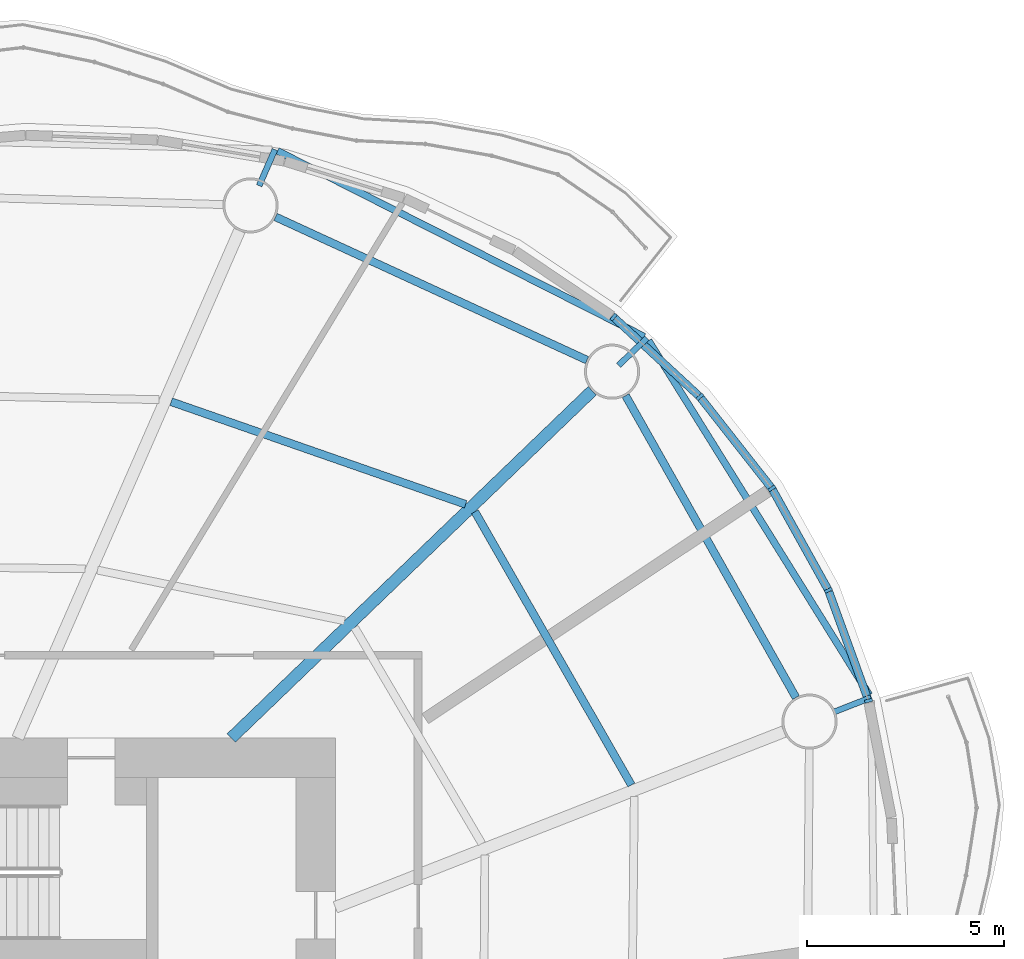
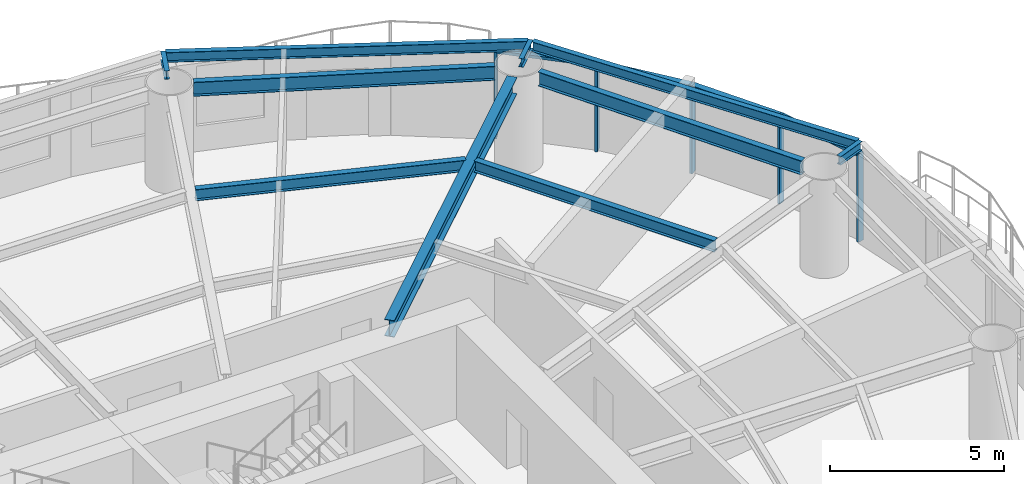
# One storey, part 6 of 15: 10 beams, 9 members, 4 elements without a shape of their own.
"""IFC4 building model written with IfcOpenShell, lengths in metres."""

from ifc_helpers import new_model, si_unit, direction, frame, origin, origin_2d, place, context, subcontext, project, spatial, rectangle, i_section, extrude, material, material_profile, profile_set, type_object, element, aggregate, save


model = new_model("IFC4")

# Units and contexts
model_context = context("Model", 3, precision=1e-05, world=origin(), true_north=direction((0.0, 1.0)))
body_context = subcontext(model_context, "Body", "Model", "MODEL_VIEW")
ifc_project = project(units=[si_unit("LENGTHUNIT", "METRE"), si_unit("AREAUNIT", "SQUARE_METRE"), si_unit("VOLUMEUNIT", "CUBIC_METRE"), si_unit("PLANEANGLEUNIT", "RADIAN"), si_unit("MASSUNIT", "GRAM", prefix="KILO")], contexts=[model_context])

# Site, building, storey
site_placement = place(None, origin())
site = spatial("IfcSite", under=ifc_project, at=site_placement, CompositionType="ELEMENT")
building_placement = place(site_placement, origin())
building = spatial("IfcBuilding", under=site, at=building_placement, Name="Vermilion Reach Broadcast Tower", CompositionType="ELEMENT")
storey_placement = place(building_placement, frame((0.0, 0.0, 168.60009765625)))
storey = spatial("IfcBuildingStorey", under=building, at=storey_placement, Name="L40", CompositionType="ELEMENT", Elevation=168.60009765625)

# Beams
ifc_material_1 = material(Name="Steel S355J2", Category="steel")
ifc_material_profile_1 = material_profile(ifc_material_1, i_section(OverallWidth=0.175048828125, OverallDepth=0.35009765625, WebThickness=0.007080078125, FlangeThickness=0.010986328125, at=origin_2d()), Name="S355J2 HN 350x175x7x11")
ifc_profile_set_1 = profile_set([ifc_material_profile_1], Name="Steel S355J2")
beam_type_1 = type_object("IfcBeamType", Name="EB3 HN 350x175x7x11", PredefinedType="BEAM", material=ifc_profile_set_1)
beam_1_placement = place(storey_placement, frame((13.842041015625, 19.19189453125, 3.27490234375), z_axis=(-0.892066205673, 0.451904729669, 0.0), x_axis=(-0.451904729669, -0.892066205673, 0.0)))
element("IfcBeam", 1, at=beam_1_placement, inside=storey, type_object=beam_type_1, Name="Edge beam EB3-01", PredefinedType="BEAM", context=body_context, shape_type="SweptSolid", body=[
    extrude(i_section(OverallWidth=0.175048828125, OverallDepth=0.35009765625, WebThickness=0.007080078125, FlangeThickness=0.010986328125, at=origin_2d()), origin(), (0.0, 0.0, 1.0), 10.4365234375),
])
beam_2_placement = place(storey_placement, frame((19.55908203125, 10.091796875, 3.27490234375), z_axis=(-0.528731584226, 0.848789085605, 0.0), x_axis=(-0.848789085605, -0.528731584226, 0.0)))
element("IfcBeam", 2, at=beam_2_placement, inside=storey, type_object=beam_type_1, Name="Edge beam EB3-16", PredefinedType="BEAM", context=body_context, shape_type="SweptSolid", body=[
    extrude(i_section(OverallWidth=0.175048828125, OverallDepth=0.35009765625, WebThickness=0.007080078125, FlangeThickness=0.010986328125, at=origin_2d()), origin(), (0.0, 0.0, 1.0), 10.602294921875),
])
ifc_material_2 = material(Name="Steel S355J2", Category="steel")
ifc_material_profile_2 = material_profile(ifc_material_2, i_section(OverallWidth=0.300048828125, OverallDepth=0.587890625, WebThickness=0.011962890625, FlangeThickness=0.02001953125, at=origin_2d()), Name="S355J2 HM 588x300x12x20")
ifc_profile_set_2 = profile_set([ifc_material_profile_2], Name="Steel S355J2")
beam_type_2 = type_object("IfcBeamType", Name="G3 HM 588x300x12x20", PredefinedType="BEAM", material=ifc_profile_set_2)
beam_3_placement = place(storey_placement, frame((3.355712890625, 9.0, 3.156005859375), z_axis=(0.720670374476, 0.693277874559, 0.0), x_axis=(-0.693277874559, 0.720670374476, 0.0)))
element("IfcBeam", 3, at=beam_3_placement, inside=storey, type_object=beam_type_2, Name="Girder G3-01", PredefinedType="BEAM", context=body_context, shape_type="SweptSolid", body=[
    extrude(i_section(OverallWidth=0.300048828125, OverallDepth=0.587890625, WebThickness=0.011962890625, FlangeThickness=0.02001953125, at=origin_2d()), origin(), (0.0, 0.0, 1.0), 12.718505859375),
])
ifc_material_3 = material(Name="Steel S355J2", Category="steel")
ifc_material_profile_3 = material_profile(ifc_material_3, i_section(OverallWidth=0.14990234375, OverallDepth=0.300048828125, WebThickness=0.006591796875, FlangeThickness=0.009033203125, at=origin_2d()), Name="S355J2 HN 300x150x6.5x9")
ifc_profile_set_3 = profile_set([ifc_material_profile_3], Name="Steel S355J2")
beam_type_3 = type_object("IfcBeamType", Name="GS3 HN 300x150x6.5x9", PredefinedType="BEAM", material=ifc_profile_set_3)
for number, where, z_axis, x_axis, name in (
    (4, (13.192138671875, 18.462646484375, 3.2998046875), (0.720767376164, 0.69317702606, 0.0), (-0.69317702606, 0.720767376164, 0.0), "Cantilever stub GS3-01"),
    (5, (4.064453125, 23.02587890625, 3.2998046875), (0.400626718411, 0.916241361485, 0.0), (-0.916241361485, 0.400626718411, 0.0), "Cantilever stub GS3-02"),
    (6, (18.668212890625, 9.662353515625, 3.2998046875), (0.931113051526, 0.364730702407, 0.0), (-0.364730702407, 0.931113051526, 0.0), "Cantilever stub GS3-16"),
):
    element("IfcBeam", number, at=place(storey_placement, frame(where, z_axis=z_axis, x_axis=x_axis)), inside=storey, type_object=beam_type_3, Name=name, PredefinedType="BEAM", context=body_context, shape_type="SweptSolid", body=[
        extrude(i_section(OverallWidth=0.14990234375, OverallDepth=0.300048828125, WebThickness=0.006591796875, FlangeThickness=0.009033203125, at=origin_2d()), origin(), (0.0, 0.0, 1.0), 1.0),
    ])
ifc_material_4 = material(Name="Steel S355J2", Category="steel")
ifc_material_profile_4 = material_profile(ifc_material_4, i_section(OverallWidth=0.199951171875, OverallDepth=0.5, WebThickness=0.010009765625, FlangeThickness=0.01611328125, at=origin_2d()), Name="S355J2 HN 500x200x10x16")
ifc_profile_set_4 = profile_set([ifc_material_profile_4], Name="Steel S355J2")
beam_type_4 = type_object("IfcBeamType", Name="RB3 HN 500x200x10x16", PredefinedType="BEAM", material=ifc_profile_set_4)
beam_4_placement = place(storey_placement, frame((12.389892578125, 18.594970703125, 3.199951171875), z_axis=(-0.908546241769, 0.417784306272, 0.0), x_axis=(-0.417784306272, -0.908546241769, 0.0)))
element("IfcBeam", 7, at=beam_4_placement, inside=storey, type_object=beam_type_4, Name="Ring beam RB3-01", PredefinedType="BEAM", context=body_context, shape_type="SweptSolid", body=[
    extrude(i_section(OverallWidth=0.199951171875, OverallDepth=0.5, WebThickness=0.010009765625, FlangeThickness=0.01611328125, at=origin_2d()), origin(), (0.0, 0.0, 1.0), 8.704833984375),
])
beam_5_placement = place(storey_placement, frame((17.696533203125, 10.026123046875, 3.199951171875), z_axis=(-0.491466825026, 0.870896296869, 0.0), x_axis=(-0.870896296869, -0.491466825026, 0.0)))
element("IfcBeam", 8, at=beam_5_placement, inside=storey, type_object=beam_type_4, Name="Ring beam RB3-16", PredefinedType="BEAM", context=body_context, shape_type="SweptSolid", body=[
    extrude(i_section(OverallWidth=0.199951171875, OverallDepth=0.5, WebThickness=0.010009765625, FlangeThickness=0.01611328125, at=origin_2d()), origin(), (0.0, 0.0, 1.0), 8.803466796875),
])
ifc_material_5 = material(Name="Steel S355J2", Category="steel")
ifc_material_profile_5 = material_profile(ifc_material_5, i_section(OverallWidth=0.199951171875, OverallDepth=0.39990234375, WebThickness=0.008056640625, FlangeThickness=0.012939453125, at=origin_2d()), Name="S355J2 HN 400x200x8x13")
ifc_profile_set_5 = profile_set([ifc_material_profile_5], Name="Steel S355J2")
beam_type_5 = type_object("IfcBeamType", Name="SB3 HN 400x200x8x13", PredefinedType="BEAM", material=ifc_profile_set_5)
beam_6_placement = place(storey_placement, frame((9.307373046875, 14.93359375, 3.25), z_axis=(-0.94431696779, 0.329037177754, 0.0), x_axis=(-0.329037177754, -0.94431696779, 0.0)))
element("IfcBeam", 9, at=beam_6_placement, inside=storey, type_object=beam_type_5, Name="Secondary beam SB3-01-2", PredefinedType="BEAM", context=body_context, shape_type="SweptSolid", body=[
    extrude(i_section(OverallWidth=0.199951171875, OverallDepth=0.39990234375, WebThickness=0.008056640625, FlangeThickness=0.012939453125, at=origin_2d()), origin(), (0.0, 0.0, 1.0), 7.91845703125),
])
beam_7_placement = place(storey_placement, frame((13.51708984375, 7.805908203125, 3.25), z_axis=(-0.497026503115, 0.867735360119, 0.0), x_axis=(-0.867735360119, -0.497026503115, 0.0)))
element("IfcBeam", 10, at=beam_7_placement, inside=storey, type_object=beam_type_5, Name="Secondary beam SB3-16-2", PredefinedType="BEAM", context=body_context, shape_type="SweptSolid", body=[
    extrude(i_section(OverallWidth=0.199951171875, OverallDepth=0.39990234375, WebThickness=0.008056640625, FlangeThickness=0.012939453125, at=origin_2d()), origin(), (0.0, 0.0, 1.0), 7.995849609375),
])

# Curtain wall, member
ifc_material_6 = material(Name="Low-e laminated clear glass in aluminium frame", Category="aluminium")
curtain_wall_type = type_object("IfcCurtainWallType", Name="Slot curtain wall", PredefinedType="NOTDEFINED", material=ifc_material_6)
placement = place(storey_placement, origin())
curtain_wall_1 = element("IfcCurtainWall", 11, at=placement, inside=storey, type_object=curtain_wall_type, Name="Slot curtain wall L40 46", PredefinedType="NOTDEFINED")
ifc_material_7 = material(Name="Anodised aluminium", Category="aluminium")
ifc_material_profile_6 = material_profile(ifc_material_7, rectangle(XDim=0.199951171875, YDim=0.080078125, at=origin_2d()), Name="Slot mullion 80 x 200")
ifc_profile_set_6 = profile_set([ifc_material_profile_6], Name="Anodised aluminium")
member_type_1 = type_object("IfcMemberType", Name="Slot mullion 80 x 200", PredefinedType="MULLION", material=ifc_profile_set_6)
member_1_placement = place(storey_placement, frame((19.537841796875, 9.94580078125, 0.0), z_axis=(0.0, 0.0, 1.0), x_axis=(-0.963506455469, -0.267685095345, 0.0)))
member_1 = element("IfcMember", 12, at=member_1_placement, type_object=member_type_1, Name="Slot mullion L40 46", PredefinedType="MULLION", context=body_context, shape_type="SweptSolid", body=[
    extrude(rectangle(XDim=0.199951171875, YDim=0.080078125, at=origin_2d()), origin(), (0.0, 0.0, 1.0), 3.099853515625),
])

curtain_wall_2 = element("IfcCurtainWall", 13, at=placement, inside=storey, type_object=curtain_wall_type, Name="Slot curtain wall L40 47", PredefinedType="NOTDEFINED")
member_2_placement = place(storey_placement, frame((18.51953125, 12.75048828125, 0.0), z_axis=(0.0, 0.0, 1.0), x_axis=(-0.910025536198, -0.414552196312, 0.0)))
member_2 = element("IfcMember", 14, at=member_2_placement, type_object=member_type_1, Name="Slot mullion L40 47", PredefinedType="MULLION", context=body_context, shape_type="SweptSolid", body=[
    extrude(rectangle(XDim=0.199951171875, YDim=0.080078125, at=origin_2d()), origin(), (0.0, 0.0, 1.0), 3.099853515625),
])

curtain_wall_3 = element("IfcCurtainWall", 15, at=placement, inside=storey, type_object=curtain_wall_type, Name="Slot curtain wall L40 00", PredefinedType="NOTDEFINED")
member_3_placement = place(storey_placement, frame((17.084228515625, 15.337158203125, 0.0), z_axis=(0.0, 0.0, 1.0), x_axis=(-0.832921296546, -0.553391465204, 0.0)))
member_3 = element("IfcMember", 16, at=member_3_placement, type_object=member_type_1, Name="Slot mullion L40 00", PredefinedType="MULLION", context=body_context, shape_type="SweptSolid", body=[
    extrude(rectangle(XDim=0.199951171875, YDim=0.080078125, at=origin_2d()), origin(), (0.0, 0.0, 1.0), 3.099853515625),
])

# Curtain wall, members
curtain_wall_4 = element("IfcCurtainWall", 17, at=placement, inside=storey, type_object=curtain_wall_type, Name="Slot curtain wall L40 01", PredefinedType="NOTDEFINED")
member_4_placement = place(storey_placement, frame((15.255859375, 17.66259765625, 0.0), z_axis=(0.0, 0.0, 1.0), x_axis=(-0.734809496988, -0.678273545951, 0.0)))
member_4 = element("IfcMember", 18, at=member_4_placement, type_object=member_type_1, Name="Slot mullion L40 01", PredefinedType="MULLION", context=body_context, shape_type="SweptSolid", body=[
    extrude(rectangle(XDim=0.199951171875, YDim=0.080078125, at=origin_2d()), origin(), (0.0, 0.0, 1.0), 3.099853515625),
])
member_5_placement = place(storey_placement, frame((13.06494140625, 19.688232421875, 0.0), z_axis=(0.0, 0.0, 1.0), x_axis=(-0.620142677348, -0.78448904373, 0.0)))
member_5 = element("IfcMember", 19, at=member_5_placement, type_object=member_type_1, Name="Slot mullion L40 02", PredefinedType="MULLION", context=body_context, shape_type="SweptSolid", body=[
    extrude(rectangle(XDim=0.199951171875, YDim=0.080078125, at=origin_2d()), origin(), (0.0, 0.0, 1.0), 3.099853515625),
])

# Member
ifc_material_8 = material(Name="Anodised aluminium", Category="aluminium")
ifc_material_profile_7 = material_profile(ifc_material_8, rectangle(XDim=0.199951171875, YDim=0.10009765625, at=origin_2d()), Name="Slot transom 200 x 100")
ifc_profile_set_7 = profile_set([ifc_material_profile_7], Name="Anodised aluminium")
member_type_2 = type_object("IfcMemberType", Name="Slot transom 200 x 100", PredefinedType="USERDEFINED", material=ifc_profile_set_7)
member_6_placement = place(storey_placement, frame((19.524169921875, 9.9833984375, 3.0498046875), z_axis=(-0.34126372514, 0.939967589816, 0.0), x_axis=(-0.939967589816, -0.34126372514, 0.0)))
member_6 = element("IfcMember", 20, at=member_6_placement, type_object=member_type_2, Name="Slot transom L40 46.1", ObjectType="TRANSOM", PredefinedType="USERDEFINED", context=body_context, shape_type="SweptSolid", body=[
    extrude(rectangle(XDim=0.199951171875, YDim=0.10009765625, at=origin_2d()), origin(), (0.0, 0.0, 1.0), 2.90380859375),
])

aggregate(curtain_wall_1, [member_1, member_6])

member_7_placement = place(storey_placement, frame((18.500244140625, 12.785400390625, 3.0498046875), z_axis=(-0.48527558629, 0.874361255633, 0.0), x_axis=(-0.874361255633, -0.48527558629, 0.0)))
member_7 = element("IfcMember", 21, at=member_7_placement, type_object=member_type_2, Name="Slot transom L40 47.1", ObjectType="TRANSOM", PredefinedType="USERDEFINED", context=body_context, shape_type="SweptSolid", body=[
    extrude(rectangle(XDim=0.199951171875, YDim=0.10009765625, at=origin_2d()), origin(), (0.0, 0.0, 1.0), 2.878173828125),
])

aggregate(curtain_wall_2, [member_2, member_7])

member_8_placement = place(storey_placement, frame((17.059326171875, 15.368408203125, 3.0498046875), z_axis=(-0.617990105156, 0.786185874923, 0.0), x_axis=(-0.786185874923, -0.617990105156, 0.0)))
member_8 = element("IfcMember", 22, at=member_8_placement, type_object=member_type_2, Name="Slot transom L40 00.1", ObjectType="TRANSOM", PredefinedType="USERDEFINED", context=body_context, shape_type="SweptSolid", body=[
    extrude(rectangle(XDim=0.199951171875, YDim=0.10009765625, at=origin_2d()), origin(), (0.0, 0.0, 1.0), 2.87841796875),
])

aggregate(curtain_wall_3, [member_3, member_8])

member_9_placement = place(storey_placement, frame((15.2265625, 17.68994140625, 3.0498046875), z_axis=(-0.734268114419, 0.678859585001, 0.0), x_axis=(-0.678859585001, -0.734268114419, 0.0)))
member_9 = element("IfcMember", 23, at=member_9_placement, type_object=member_type_2, Name="Slot transom L40 01.1", ObjectType="TRANSOM", PredefinedType="USERDEFINED", context=body_context, shape_type="SweptSolid", body=[
    extrude(rectangle(XDim=0.199951171875, YDim=0.10009765625, at=origin_2d()), origin(), (0.0, 0.0, 1.0), 2.903564453125),
])

aggregate(curtain_wall_4, [member_4, member_5, member_9])

save(model, "model.ifc")
